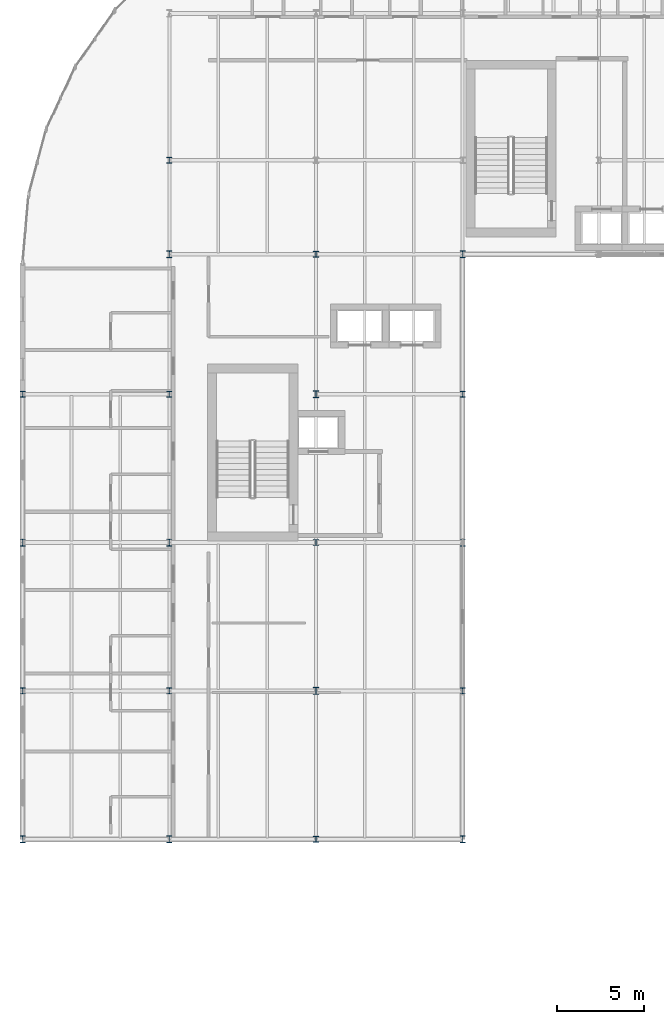
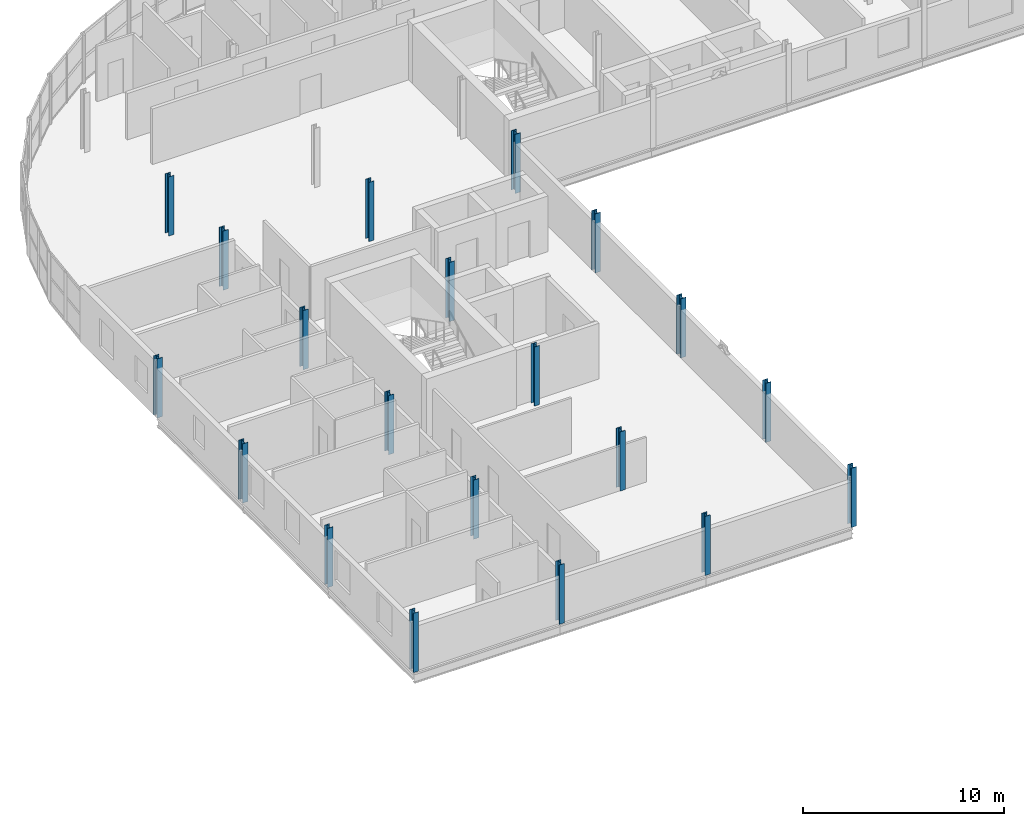
# One storey, part 1 of 25: 20 columns.
"""IFC4 building model written with IfcOpenShell, lengths in metres."""

from ifc_helpers import new_model, si_unit, direction, frame, origin, origin_2d, place, context, subcontext, project, spatial, i_section, extrude, material, material_profile, profile_set, type_object, element, save


model = new_model("IFC4")

# Units and contexts
model_context = context("Model", 3, precision=1e-05, world=origin(), true_north=direction((0.0, 1.0)))
body_context = subcontext(model_context, "Body", "Model", "MODEL_VIEW")
ifc_project = project(units=[si_unit("LENGTHUNIT", "METRE"), si_unit("AREAUNIT", "SQUARE_METRE"), si_unit("VOLUMEUNIT", "CUBIC_METRE"), si_unit("PLANEANGLEUNIT", "RADIAN"), si_unit("MASSUNIT", "GRAM", prefix="KILO")], contexts=[model_context])

# Site, building, storey
site_placement = place(None, origin())
site = spatial("IfcSite", under=ifc_project, at=site_placement, CompositionType="ELEMENT")
building_placement = place(site_placement, origin())
building = spatial("IfcBuilding", under=site, at=building_placement, Name="Sefraquen Railside Congress Hotel", CompositionType="ELEMENT")
storey_placement = place(building_placement, frame((0.0, 0.0, 39.0)))
storey = spatial("IfcBuildingStorey", under=building, at=storey_placement, Name="L09", CompositionType="ELEMENT", Elevation=39.0)

# Columns
ifc_material = material(Name="Steel S355JR", Category="steel")
ifc_material_profile_1 = material_profile(ifc_material, i_section(OverallWidth=0.300048828125, OverallDepth=0.340087890625, WebThickness=0.011962890625, FlangeThickness=0.021484375, FilletRadius=0.027099609375, at=origin_2d()), Name="HEB 340")
ifc_profile_set_1 = profile_set([ifc_material_profile_1], Name="Steel S355JR")
column_type_1 = type_object("IfcColumnType", Name="TC-HEB-340", PredefinedType="COLUMN", material=ifc_profile_set_1)
for number, where, z_axis, x_axis, name in (
    (1, (0.0, 71.0, 0.0), (0.0, 0.0, 1.0), (1.0, 0.0, 0.0), "Structural column 1-J L09"),
    (2, (0.0, 88.0, 0.0), (0.0, 0.0, 1.0), (1.0, 0.0, 0.0), "Structural column 1-L L09"),
    (3, (8.39990234375, 71.0, 0.0), (0.0, 0.0, 1.0), (1.0, 0.0, 0.0), "Structural column 2-J L09"),
    (4, (8.39990234375, 88.0, 0.0), (0.0, 0.0, 1.0), (1.0, 0.0, 0.0), "Structural column 2-L L09"),
    (5, (16.800048828125, 62.5, 0.0), (0.0, 0.0, 1.0), (1.0, 0.0, 0.0), "Structural column 3-H L09"),
    (6, (16.800048828125, 79.5, 0.0), (0.0, 0.0, 1.0), (1.0, 0.0, 0.0), "Structural column 3-K L09"),
    (7, (16.800048828125, 96.0, 0.0), (0.0, 0.0, 1.0), (1.0, 0.0, 0.0), "Structural column 3-M L09"),
    (8, (25.199951171875, 71.0, 0.0), (0.0, 0.0, 1.0), (1.0, 0.0, 0.0), "Structural column 4-J L09"),
    (9, (25.199951171875, 88.0, 0.0), (0.0, 0.0, 1.0), (1.0, 0.0, 0.0), "Structural column 4-L L09"),
    (10, (8.39990234375, 101.39990234375, 0.0), (0.0, 0.0, 1.0), (1.0, 0.0, 0.0), "Structural column 2-N L09"),
):
    element("IfcColumn", number, at=place(storey_placement, frame(where, z_axis=z_axis, x_axis=x_axis)), inside=storey, type_object=column_type_1, Name=name, PredefinedType="COLUMN", context=body_context, shape_type="SweptSolid", body=[
        extrude(i_section(OverallWidth=0.300048828125, OverallDepth=0.340087890625, WebThickness=0.011962890625, FlangeThickness=0.021484375, FilletRadius=0.027099609375, at=origin_2d()), origin(), (0.0, 0.0, 1.0), 3.60009765625),
    ])
ifc_material_profile_2 = material_profile(ifc_material, i_section(OverallWidth=0.300048828125, OverallDepth=0.39990234375, WebThickness=0.013427734375, FlangeThickness=0.02392578125, FilletRadius=0.027099609375, at=origin_2d()), Name="HEB 400")
ifc_profile_set_2 = profile_set([ifc_material_profile_2], Name="Steel S355JR")
column_type_2 = type_object("IfcColumnType", Name="TC-HEB-400", PredefinedType="COLUMN", material=ifc_profile_set_2)
for number, where, z_axis, x_axis, name in (
    (11, (0.0, 62.5, 0.0), (0.0, 0.0, 1.0), (1.0, 0.0, 0.0), "Structural column 1-H L09"),
    (12, (0.0, 79.5, 0.0), (0.0, 0.0, 1.0), (1.0, 0.0, 0.0), "Structural column 1-K L09"),
    (13, (8.39990234375, 62.5, 0.0), (0.0, 0.0, 1.0), (1.0, 0.0, 0.0), "Structural column 2-H L09"),
    (14, (8.39990234375, 79.5, 0.0), (0.0, 0.0, 1.0), (1.0, 0.0, 0.0), "Structural column 2-K L09"),
    (15, (8.39990234375, 96.0, 0.0), (0.0, 0.0, 1.0), (1.0, 0.0, 0.0), "Structural column 2-M L09"),
    (16, (16.800048828125, 71.0, 0.0), (0.0, 0.0, 1.0), (1.0, 0.0, 0.0), "Structural column 3-J L09"),
    (17, (16.800048828125, 88.0, 0.0), (0.0, 0.0, 1.0), (1.0, 0.0, 0.0), "Structural column 3-L L09"),
    (18, (25.199951171875, 62.5, 0.0), (0.0, 0.0, 1.0), (1.0, 0.0, 0.0), "Structural column 4-H L09"),
    (19, (25.199951171875, 79.5, 0.0), (0.0, 0.0, 1.0), (1.0, 0.0, 0.0), "Structural column 4-K L09"),
    (20, (25.199951171875, 96.0, 0.0), (0.0, 0.0, 1.0), (1.0, 0.0, 0.0), "Structural column 4-M L09"),
):
    element("IfcColumn", number, at=place(storey_placement, frame(where, z_axis=z_axis, x_axis=x_axis)), inside=storey, type_object=column_type_2, Name=name, PredefinedType="COLUMN", context=body_context, shape_type="SweptSolid", body=[
        extrude(i_section(OverallWidth=0.300048828125, OverallDepth=0.39990234375, WebThickness=0.013427734375, FlangeThickness=0.02392578125, FilletRadius=0.027099609375, at=origin_2d()), origin(), (0.0, 0.0, 1.0), 3.60009765625),
    ])

save(model, "model.ifc")
